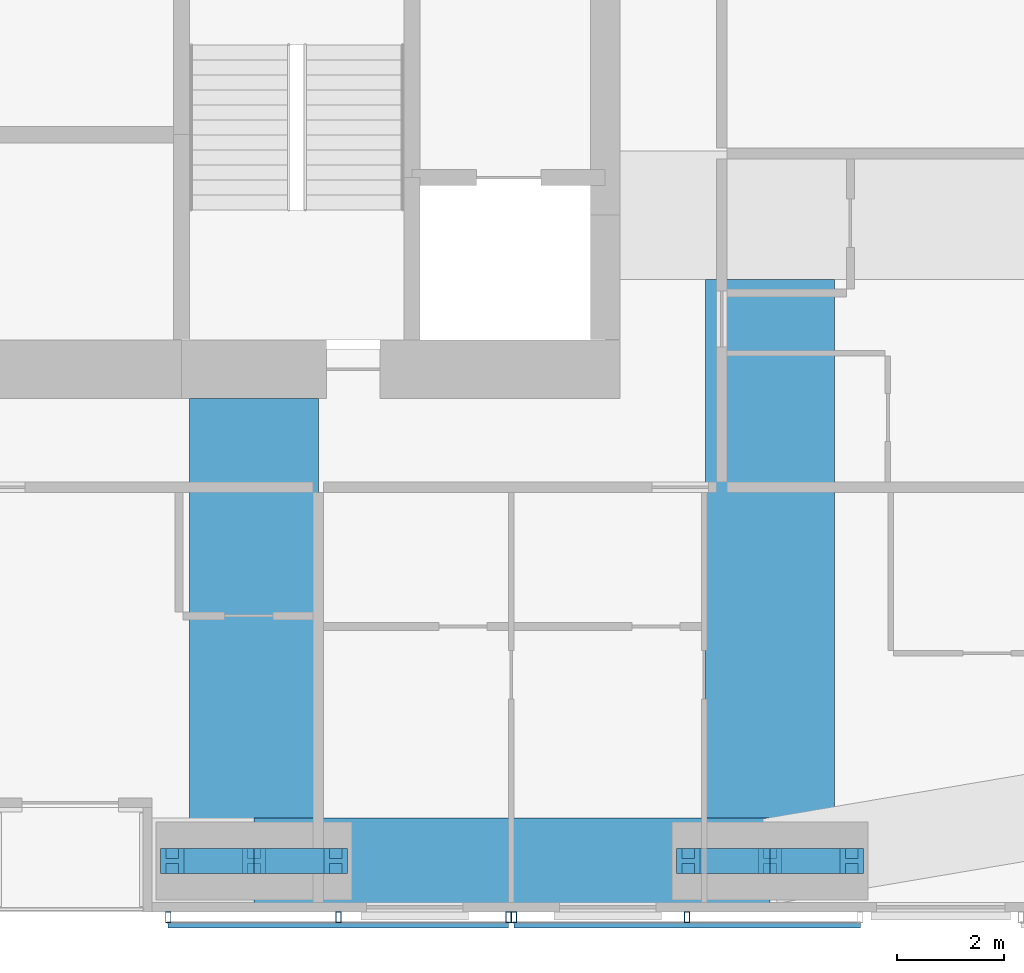
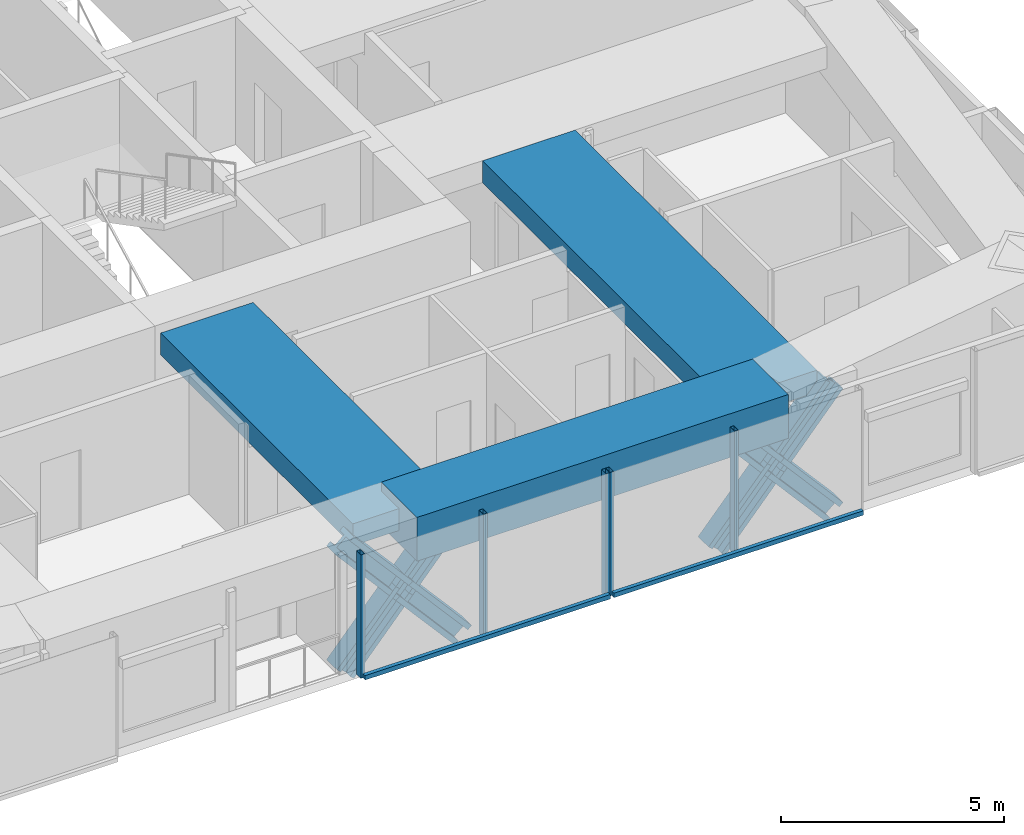
# One storey, part 5 of 19: 15 members, 3 beams, 2 elements without a shape of their own.
"""IFC4 building model written with IfcOpenShell, lengths in metres."""

from ifc_helpers import new_model, si_unit, direction, frame, origin, origin_2d, place, context, subcontext, project, spatial, rectangle, hollow_rectangle, i_section, extrude, material, material_profile, profile_set, type_object, element, aggregate, save


model = new_model("IFC4")

# Units and contexts
model_context = context("Model", 3, precision=1e-05, world=origin(), true_north=direction((0.0, 1.0)))
body_context = subcontext(model_context, "Body", "Model", "MODEL_VIEW")
ifc_project = project(units=[si_unit("LENGTHUNIT", "METRE"), si_unit("AREAUNIT", "SQUARE_METRE"), si_unit("VOLUMEUNIT", "CUBIC_METRE"), si_unit("PLANEANGLEUNIT", "RADIAN"), si_unit("MASSUNIT", "GRAM", prefix="KILO")], contexts=[model_context])

# Site, building, storey
site_placement = place(None, origin())
site = spatial("IfcSite", under=ifc_project, at=site_placement, CompositionType="ELEMENT")
building_placement = place(site_placement, origin())
building = spatial("IfcBuilding", under=site, at=building_placement, Name="Jalousie Tower", CompositionType="ELEMENT")
storey_placement = place(building_placement, frame((0.0, 0.0, 221.449951171875)))
storey = spatial("IfcBuildingStorey", under=building, at=storey_placement, Name="L60", CompositionType="ELEMENT", Elevation=221.449951171875)

# Members
ifc_material_1 = material(Name="Steel ASTM A992 Grade 50", Category="steel")
ifc_material_profile_1 = material_profile(ifc_material_1, i_section(OverallWidth=0.472412109375, OverallDepth=0.5791015625, WebThickness=0.094970703125, FlangeThickness=0.1298828125, at=origin_2d()), Name="W14X808")
ifc_profile_set_1 = profile_set([ifc_material_profile_1], Name="Steel ASTM A992 Grade 50")
member_type_1 = type_object("IfcMemberType", Name="PERIMETER BRACE W14X808", PredefinedType="BRACE", material=ifc_profile_set_1)
for number, where, z_axis, x_axis, name in (
    (1, (35.72509765625, 0.949951171875, -0.599853515625), (0.65695436777, 0.0, 0.753930340726), (0.0, 1.0, 0.0), "Perimeter brace 03 L60 part 1"),
    (2, (37.25, 0.949951171875, 1.150146484375), (0.65695436777, 0.0, 0.753930340726), (0.0, 1.0, 0.0), "Perimeter brace 03 L60 part 2"),
    (3, (38.77490234375, 0.949951171875, -0.599853515625), (-0.65695436777, 0.0, 0.753930340726), (0.0, -1.0, 0.0), "Perimeter brace 03 L60 part 3"),
    (4, (37.25, 0.949951171875, 1.150146484375), (-0.65695436777, 0.0, 0.753930340726), (0.0, -1.0, 0.0), "Perimeter brace 03 L60 part 4"),
    (5, (45.35009765625, 0.949951171875, -0.599853515625), (0.65695436777, 0.0, 0.753930340726), (0.0, 1.0, 0.0), "Perimeter brace 04 L60 part 1"),
    (6, (46.875, 0.949951171875, 1.150146484375), (0.65695436777, 0.0, 0.753930340726), (0.0, 1.0, 0.0), "Perimeter brace 04 L60 part 2"),
    (7, (48.39990234375, 0.949951171875, -0.599853515625), (-0.65695436777, 0.0, 0.753930340726), (0.0, -1.0, 0.0), "Perimeter brace 04 L60 part 3"),
    (8, (46.875, 0.949951171875, 1.150146484375), (-0.65695436777, 0.0, 0.753930340726), (0.0, -1.0, 0.0), "Perimeter brace 04 L60 part 4"),
):
    element("IfcMember", number, at=place(storey_placement, frame(where, z_axis=z_axis, x_axis=x_axis)), inside=storey, type_object=member_type_1, Name=name, PredefinedType="BRACE", context=body_context, shape_type="SweptSolid", body=[
        extrude(i_section(OverallWidth=0.472412109375, OverallDepth=0.5791015625, WebThickness=0.094970703125, FlangeThickness=0.1298828125, at=origin_2d()), origin(), (0.0, 0.0, 1.0), 2.3212890625),
    ])

# Beams
ifc_material_2 = material(Name="Concrete f'c 40 MPa", Category="concrete")
ifc_material_profile_2 = material_profile(ifc_material_2, rectangle(XDim=1.60009765625, YDim=1.199951171875, at=origin_2d()), Name="RC 1600x1200")
ifc_profile_set_2 = profile_set([ifc_material_profile_2], Name="Concrete f'c 40 MPa")
beam_type_1 = type_object("IfcBeamType", Name="RC BEAM 1600x1200", PredefinedType="BEAM", material=ifc_profile_set_2)
beam_1_placement = place(storey_placement, frame((37.25, 0.949951171875, 2.900146484375), z_axis=(1.0, 0.0, 0.0), x_axis=(0.0, 1.0, 0.0)))
element("IfcBeam", 9, at=beam_1_placement, inside=storey, type_object=beam_type_1, Name="Edge band beam 03-04 under L61", PredefinedType="BEAM", context=body_context, shape_type="SweptSolid", body=[
    extrude(rectangle(XDim=1.60009765625, YDim=1.199951171875, at=origin_2d()), origin(), (0.0, 0.0, 1.0), 9.625),
])
ifc_material_3 = material(Name="Concrete f'c 40 MPa", Category="concrete")
ifc_material_profile_3 = material_profile(ifc_material_3, rectangle(XDim=2.39990234375, YDim=0.60009765625, at=origin_2d()), Name="RC 2400x600")
ifc_profile_set_3 = profile_set([ifc_material_profile_3], Name="Concrete f'c 40 MPa")
beam_type_2 = type_object("IfcBeamType", Name="RC BEAM 2400x600", PredefinedType="BEAM", material=ifc_profile_set_3)
beam_2_placement = place(storey_placement, frame((37.25, 0.949951171875, 2.9599609375), z_axis=(0.0, 1.0, 0.0), x_axis=(-1.0, 0.0, 0.0)))
element("IfcBeam", 10, at=beam_2_placement, inside=storey, type_object=beam_type_2, Name="Floor band beam under L61", PredefinedType="BEAM", context=body_context, shape_type="SweptSolid", body=[
    extrude(rectangle(XDim=2.39990234375, YDim=0.60009765625, at=origin_2d()), origin(), (0.0, 0.0, 1.0), 8.625),
])
beam_3_placement = place(storey_placement, frame((46.875, 0.949951171875, 2.9599609375), z_axis=(0.0, 1.0, 0.0), x_axis=(-1.0, 0.0, 0.0)))
element("IfcBeam", 11, at=beam_3_placement, inside=storey, type_object=beam_type_2, Name="Floor band beam under L61", PredefinedType="BEAM", context=body_context, shape_type="SweptSolid", body=[
    extrude(rectangle(XDim=2.39990234375, YDim=0.60009765625, at=origin_2d()), origin(), (0.0, 0.0, 1.0), 10.85009765625),
])

# Curtain wall, members
ifc_material_4 = material(Name="Perforated aluminium sheet", Category="aluminium")
curtain_wall_type = type_object("IfcCurtainWallType", Name="SOLAR SCREEN SS-2", PredefinedType="USERDEFINED", material=ifc_material_4)
curtain_wall_1_placement = place(storey_placement, origin())
curtain_wall_1 = element("IfcCurtainWall", 12, at=curtain_wall_1_placement, inside=storey, type_object=curtain_wall_type, Name="Solar screen L60", ObjectType="SOLAR SCREEN SS-2", PredefinedType="USERDEFINED")
ifc_material_5 = material(Name="Steel ASTM A500 Grade C", Category="steel")
ifc_material_profile_4 = material_profile(ifc_material_5, hollow_rectangle(XDim=0.1015625, YDim=0.203125, WallThickness=0.0078125, at=origin_2d()), Name="HSS8X4X5/16")
ifc_profile_set_4 = profile_set([ifc_material_profile_4], Name="Steel ASTM A500 Grade C")
member_type_2 = type_object("IfcMemberType", Name="SOLAR SCREEN SS-2 MULLION", PredefinedType="MULLION", material=ifc_profile_set_4)
member_1_placement = place(storey_placement, frame((35.64990234375, -0.0966796875, -0.119873046875), z_axis=(0.0, 0.0, 1.0), x_axis=(1.0, 0.0, 0.0)))
member_1 = element("IfcMember", 13, at=member_1_placement, type_object=member_type_2, Name="SS2 post 1", PredefinedType="MULLION", context=body_context, shape_type="SweptSolid", body=[
    extrude(hollow_rectangle(XDim=0.1015625, YDim=0.203125, WallThickness=0.0078125, at=origin_2d()), origin(), (0.0, 0.0, 1.0), 3.3798828125),
])
member_2_placement = place(storey_placement, frame((38.824951171875, -0.0966796875, -0.119873046875), z_axis=(0.0, 0.0, 1.0), x_axis=(1.0, 0.0, 0.0)))
member_2 = element("IfcMember", 14, at=member_2_placement, type_object=member_type_2, Name="SS2 post 2", PredefinedType="MULLION", context=body_context, shape_type="SweptSolid", body=[
    extrude(hollow_rectangle(XDim=0.1015625, YDim=0.203125, WallThickness=0.0078125, at=origin_2d()), origin(), (0.0, 0.0, 1.0), 3.3798828125),
])
member_3_placement = place(storey_placement, frame((42.0, -0.0966796875, -0.119873046875), z_axis=(0.0, 0.0, 1.0), x_axis=(1.0, 0.0, 0.0)))
member_3 = element("IfcMember", 15, at=member_3_placement, type_object=member_type_2, Name="SS2 post 3", PredefinedType="MULLION", context=body_context, shape_type="SweptSolid", body=[
    extrude(hollow_rectangle(XDim=0.1015625, YDim=0.203125, WallThickness=0.0078125, at=origin_2d()), origin(), (0.0, 0.0, 1.0), 3.3798828125),
])

curtain_wall_2_placement = place(storey_placement, origin())
curtain_wall_2 = element("IfcCurtainWall", 16, at=curtain_wall_2_placement, inside=storey, type_object=curtain_wall_type, Name="Solar screen L60", ObjectType="SOLAR SCREEN SS-2", PredefinedType="USERDEFINED")
member_4_placement = place(storey_placement, frame((42.10009765625, -0.0966796875, -0.119873046875), z_axis=(0.0, 0.0, 1.0), x_axis=(1.0, 0.0, 0.0)))
member_4 = element("IfcMember", 17, at=member_4_placement, type_object=member_type_2, Name="SS2 post 1", PredefinedType="MULLION", context=body_context, shape_type="SweptSolid", body=[
    extrude(hollow_rectangle(XDim=0.1015625, YDim=0.203125, WallThickness=0.0078125, at=origin_2d()), origin(), (0.0, 0.0, 1.0), 3.3798828125),
])
member_5_placement = place(storey_placement, frame((45.32958984375, -0.0966796875, -0.119873046875), z_axis=(0.0, 0.0, 1.0), x_axis=(1.0, 0.0, 0.0)))
member_5 = element("IfcMember", 18, at=member_5_placement, type_object=member_type_2, Name="SS2 post 2", PredefinedType="MULLION", context=body_context, shape_type="SweptSolid", body=[
    extrude(hollow_rectangle(XDim=0.1015625, YDim=0.203125, WallThickness=0.0078125, at=origin_2d()), origin(), (0.0, 0.0, 1.0), 3.3798828125),
])

# Member
ifc_material_6 = material(Name="Extruded aluminium screen rail", Category="aluminium")
ifc_material_profile_5 = material_profile(ifc_material_6, rectangle(XDim=0.1015625, YDim=0.1201171875, at=origin_2d()), Name="RAIL 102x120")
ifc_profile_set_5 = profile_set([ifc_material_profile_5], Name="Extruded aluminium screen rail")
member_type_3 = type_object("IfcMemberType", Name="SOLAR SCREEN SS-2 TRANSOM", PredefinedType="USERDEFINED", material=ifc_profile_set_5)
member_6_placement = place(storey_placement, frame((35.64990234375, -0.2490234375, -0.06005859375), z_axis=(1.0, 0.0, 0.0), x_axis=(0.0, 1.0, 0.0)))
member_6 = element("IfcMember", 19, at=member_6_placement, type_object=member_type_3, Name="SS2 rail", ObjectType="TRANSOM", PredefinedType="USERDEFINED", context=body_context, shape_type="SweptSolid", body=[
    extrude(rectangle(XDim=0.1015625, YDim=0.1201171875, at=origin_2d()), origin(), (0.0, 0.0, 1.0), 6.35009765625),
])

aggregate(curtain_wall_1, [member_1, member_2, member_3, member_6])

member_7_placement = place(storey_placement, frame((42.10009765625, -0.2490234375, -0.06005859375), z_axis=(1.0, 0.0, 0.0), x_axis=(0.0, 1.0, 0.0)))
member_7 = element("IfcMember", 20, at=member_7_placement, type_object=member_type_3, Name="SS2 rail", ObjectType="TRANSOM", PredefinedType="USERDEFINED", context=body_context, shape_type="SweptSolid", body=[
    extrude(rectangle(XDim=0.1015625, YDim=0.1201171875, at=origin_2d()), origin(), (0.0, 0.0, 1.0), 6.459228515625),
])

aggregate(curtain_wall_2, [member_4, member_5, member_7])

save(model, "model.ifc")
